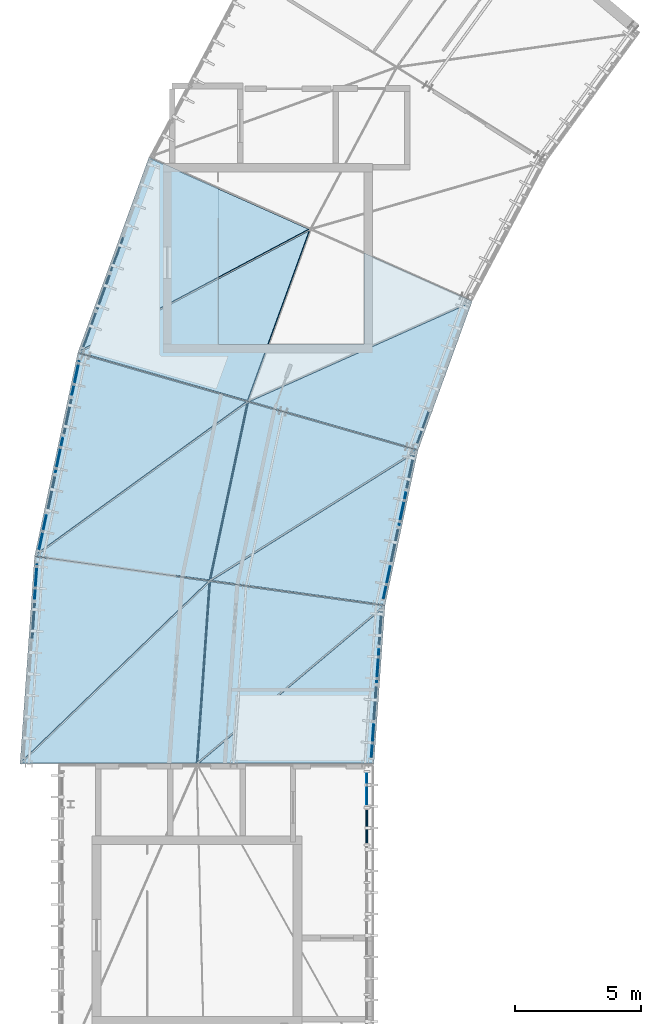
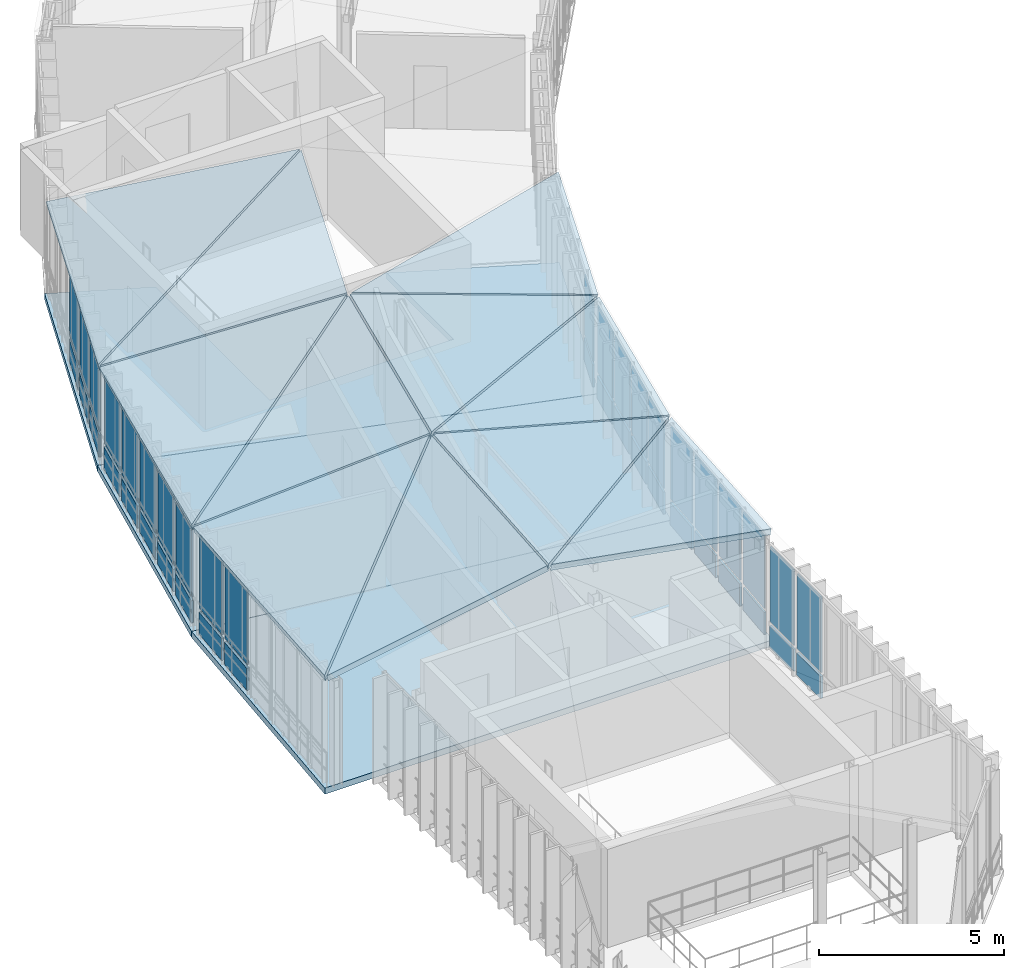
# One storey, part 7 of 18: 42 plates, 14 slabs, 7 elements without a shape of their own.
"""IFC4 building model written with IfcOpenShell, lengths in metres."""

from ifc_helpers import new_model, si_unit, direction, frame, origin, origin_2d, place, context, subcontext, project, spatial, polyline, rectangle, outline, extrude, material, layer, layer_set, type_object, element, aggregate, save


model = new_model("IFC4")

# Units and contexts
model_context = context("Model", 3, precision=1e-05, world=origin(), true_north=direction((0.0, 1.0)))
body_context = subcontext(model_context, "Body", "Model", "MODEL_VIEW")
ifc_project = project(units=[si_unit("LENGTHUNIT", "METRE"), si_unit("AREAUNIT", "SQUARE_METRE"), si_unit("VOLUMEUNIT", "CUBIC_METRE"), si_unit("PLANEANGLEUNIT", "RADIAN"), si_unit("MASSUNIT", "GRAM", prefix="KILO"), si_unit("THERMODYNAMICTEMPERATUREUNIT", "KELVIN"), si_unit("POWERUNIT", "WATT")], contexts=[model_context])

# Site, building, storey
site_placement = place(None, origin())
site = spatial("IfcSite", under=ifc_project, at=site_placement, CompositionType="ELEMENT")
building_placement = place(site_placement, origin())
building = spatial("IfcBuilding", under=site, at=building_placement, Name="Solvatero Civic Police Headquarters", CompositionType="ELEMENT")
storey_placement = place(building_placement, frame((0.0, 0.0, 29.39990234375)))
storey = spatial("IfcBuildingStorey", under=building, at=storey_placement, Name="L07", CompositionType="ELEMENT", Elevation=29.39990234375)

# Curtain wall, plates
ifc_material_1 = material(Name="Anodized Bronze Aluminium", Category="aluminium")
ifc_layer_1 = layer(ifc_material_1, 0.179931640625)
ifc_layer_set_1 = layer_set([ifc_layer_1], Name="Anodized Bronze Aluminium")
curtain_wall_type_1 = type_object("IfcCurtainWallType", Name="CW-ARC-OUT", PredefinedType="USERDEFINED", material=ifc_layer_set_1)
curtain_wall_1_placement = place(storey_placement, origin())
curtain_wall_1 = element("IfcCurtainWall", 1, at=curtain_wall_1_placement, inside=storey, type_object=curtain_wall_type_1, Name="Curtain Wall CW-R2-L07-ARC-OUT-B10", ObjectType="UNITISED", PredefinedType="USERDEFINED")
ifc_material_2 = material(Name="Triple Low-E Laminated Glass", Category="glass")
ifc_layer_2 = layer(ifc_material_2, 0.0380859375)
ifc_layer_set_2 = layer_set([ifc_layer_2], Name="Triple Low-E Laminated Glass")
plate_type_1 = type_object("IfcPlateType", Name="CWP-GLZ-38", PredefinedType="CURTAIN_PANEL", material=ifc_layer_set_2)
plate_1_placement = place(storey_placement, frame((38.828857421875, 46.153076171875, 0.91015625), z_axis=(0.0, 0.0, 1.0), x_axis=(-0.342020143326, -0.939692620786, 0.0)))
plate_1 = element("IfcPlate", 2, at=plate_1_placement, type_object=plate_type_1, Name="CW-R2-L07-ARC-OUT-B10 Vision Glazing 3", PredefinedType="CURTAIN_PANEL", context=body_context, shape_type="SweptSolid", body=[
    extrude(rectangle(XDim=1.41162109375, YDim=0.0380859375, at=origin_2d()), origin(), (0.0, 0.0, 1.0), 2.023193359375),
])
plate_2_placement = place(storey_placement, frame((37.740234375, 43.16162109375, 0.91015625), z_axis=(0.0, 0.0, 1.0), x_axis=(-0.342020143326, -0.939692620786, 0.0)))
plate_2 = element("IfcPlate", 3, at=plate_2_placement, type_object=plate_type_1, Name="CW-R2-L07-ARC-OUT-B10 Vision Glazing 5", PredefinedType="CURTAIN_PANEL", context=body_context, shape_type="SweptSolid", body=[
    extrude(rectangle(XDim=1.41162109375, YDim=0.0380859375, at=origin_2d()), origin(), (0.0, 0.0, 1.0), 2.023193359375),
])

# Curtain wall, plate
ifc_layer_3 = layer(ifc_material_1, 0.179931640625)
ifc_layer_set_3 = layer_set([ifc_layer_3], Name="Anodized Bronze Aluminium")
curtain_wall_type_2 = type_object("IfcCurtainWallType", Name="CW-ARC-IN", PredefinedType="USERDEFINED", material=ifc_layer_set_3)
curtain_wall_2_placement = place(storey_placement, origin())
curtain_wall_2 = element("IfcCurtainWall", 4, at=curtain_wall_2_placement, inside=storey, type_object=curtain_wall_type_2, Name="Curtain Wall CW-R2-L07-ARC-IN-B10", ObjectType="UNITISED", PredefinedType="USERDEFINED")
plate_3_placement = place(storey_placement, frame((50.939208984375, 39.291748046875, 0.91015625), z_axis=(0.0, 0.0, 1.0), x_axis=(-0.342003742543, -0.93969859002, 0.0)))
plate_3 = element("IfcPlate", 5, at=plate_3_placement, type_object=plate_type_1, Name="CW-R2-L07-ARC-IN-B10 Vision Glazing 4", PredefinedType="CURTAIN_PANEL", context=body_context, shape_type="SweptSolid", body=[
    extrude(rectangle(XDim=1.311767578125, YDim=0.0380859375, at=origin_2d()), origin(), (0.0, 0.0, 1.0), 1.981689453125),
])

# Curtain wall, plates
curtain_wall_3_placement = place(storey_placement, origin())
curtain_wall_3 = element("IfcCurtainWall", 6, at=curtain_wall_3_placement, inside=storey, type_object=curtain_wall_type_1, Name="Curtain Wall CW-R2-L07-ARC-OUT-B11", ObjectType="UNITISED", PredefinedType="USERDEFINED")
plate_4_placement = place(storey_placement, frame((37.197509765625, 41.272705078125, 0.91015625), z_axis=(0.0, 0.0, 1.0), x_axis=(-0.20789461889, -0.978151229328, 0.0)))
plate_4 = element("IfcPlate", 7, at=plate_4_placement, type_object=plate_type_1, Name="CW-R2-L07-ARC-OUT-B11 Vision Glazing 1", PredefinedType="CURTAIN_PANEL", context=body_context, shape_type="SweptSolid", body=[
    extrude(rectangle(XDim=1.384521484375, YDim=0.0380859375, at=origin_2d()), origin(), (0.0, 0.0, 1.0), 2.223388671875),
])
plate_5_placement = place(storey_placement, frame((36.546875, 38.212158203125, 0.91015625), z_axis=(0.0, 0.0, 1.0), x_axis=(-0.20789461889, -0.978151229328, 0.0)))
plate_5 = element("IfcPlate", 8, at=plate_5_placement, type_object=plate_type_1, Name="CW-R2-L07-ARC-OUT-B11 Vision Glazing 3", PredefinedType="CURTAIN_PANEL", context=body_context, shape_type="SweptSolid", body=[
    extrude(rectangle(XDim=1.384521484375, YDim=0.0380859375, at=origin_2d()), origin(), (0.0, 0.0, 1.0), 2.223388671875),
])
plate_6_placement = place(storey_placement, frame((35.896484375, 35.151611328125, 0.91015625), z_axis=(0.0, 0.0, 1.0), x_axis=(-0.20789461889, -0.978151229328, 0.0)))
plate_6 = element("IfcPlate", 9, at=plate_6_placement, type_object=plate_type_1, Name="CW-R2-L07-ARC-OUT-B11 Vision Glazing 5", PredefinedType="CURTAIN_PANEL", context=body_context, shape_type="SweptSolid", body=[
    extrude(rectangle(XDim=1.384521484375, YDim=0.0380859375, at=origin_2d()), origin(), (0.0, 0.0, 1.0), 2.223388671875),
])

curtain_wall_4_placement = place(storey_placement, origin())
curtain_wall_4 = element("IfcCurtainWall", 10, at=curtain_wall_4_placement, inside=storey, type_object=curtain_wall_type_2, Name="Curtain Wall CW-R2-L07-ARC-IN-B11", ObjectType="UNITISED", PredefinedType="USERDEFINED")
plate_7_placement = place(storey_placement, frame((50.128662109375, 36.087646484375, 0.91015625), z_axis=(0.0, 0.0, 1.0), x_axis=(-0.207911690818, -0.978147600734, 0.0)))
plate_7 = element("IfcPlate", 11, at=plate_7_placement, type_object=plate_type_1, Name="CW-R2-L07-ARC-IN-B11 Vision Glazing 2", PredefinedType="CURTAIN_PANEL", context=body_context, shape_type="SweptSolid", body=[
    extrude(rectangle(XDim=1.311767578125, YDim=0.0380859375, at=origin_2d()), origin(), (0.0, 0.0, 1.0), 2.181640625),
])
plate_8_placement = place(storey_placement, frame((49.50830078125, 33.16943359375, 0.91015625), z_axis=(0.0, 0.0, 1.0), x_axis=(-0.207911690818, -0.978147600734, 0.0)))
plate_8 = element("IfcPlate", 12, at=plate_8_placement, type_object=plate_type_1, Name="CW-R2-L07-ARC-IN-B11 Vision Glazing 4", PredefinedType="CURTAIN_PANEL", context=body_context, shape_type="SweptSolid", body=[
    extrude(rectangle(XDim=1.311767578125, YDim=0.0380859375, at=origin_2d()), origin(), (0.0, 0.0, 1.0), 2.181640625),
])

# Curtain wall, plate
curtain_wall_5_placement = place(storey_placement, origin())
curtain_wall_5 = element("IfcCurtainWall", 13, at=curtain_wall_5_placement, inside=storey, type_object=curtain_wall_type_1, Name="Curtain Wall CW-R2-L07-ARC-OUT-B12", ObjectType="UNITISED", PredefinedType="USERDEFINED")
plate_9_placement = place(storey_placement, frame((35.624755859375, 33.21875, 0.909912109375), z_axis=(0.0, 0.0, 1.0), x_axis=(-0.069739062956, -0.997565267588, 0.0)))
plate_9 = element("IfcPlate", 14, at=plate_9_placement, type_object=plate_type_1, Name="CW-R2-L07-ARC-OUT-B12 Vision Glazing 1", PredefinedType="CURTAIN_PANEL", context=body_context, shape_type="SweptSolid", body=[
    extrude(rectangle(XDim=1.384521484375, YDim=0.0380859375, at=origin_2d()), origin(), (0.0, 0.0, 1.0), 2.42333984375),
])

# Curtain wall, plates
curtain_wall_6_placement = place(storey_placement, origin())
curtain_wall_6 = element("IfcCurtainWall", 15, at=curtain_wall_6_placement, inside=storey, type_object=curtain_wall_type_2, Name="Curtain Wall CW-R2-L07-ARC-IN-B12", ObjectType="UNITISED", PredefinedType="USERDEFINED")
plate_10_placement = place(storey_placement, frame((49.151611328125, 29.8837890625, 0.91015625), z_axis=(0.0, 0.0, 1.0), x_axis=(-0.069773884511, -0.997562832628, 0.0)))
plate_10 = element("IfcPlate", 16, at=plate_10_placement, type_object=plate_type_1, Name="CW-R2-L07-ARC-IN-B12 Vision Glazing 2", PredefinedType="CURTAIN_PANEL", context=body_context, shape_type="SweptSolid", body=[
    extrude(rectangle(XDim=1.311767578125, YDim=0.0380859375, at=origin_2d()), origin(), (0.0, 0.0, 1.0), 2.381591796875),
])
plate_11_placement = place(storey_placement, frame((48.943603515625, 26.90771484375, 0.91015625), z_axis=(0.0, 0.0, 1.0), x_axis=(-0.069773884511, -0.997562832628, 0.0)))
plate_11 = element("IfcPlate", 17, at=plate_11_placement, type_object=plate_type_1, Name="CW-R2-L07-ARC-IN-B12 Vision Glazing 4", PredefinedType="CURTAIN_PANEL", context=body_context, shape_type="SweptSolid", body=[
    extrude(rectangle(XDim=1.311767578125, YDim=0.0380859375, at=origin_2d()), origin(), (0.0, 0.0, 1.0), 2.381591796875),
])

# Curtain wall, plate
ifc_layer_4 = layer(ifc_material_1, 0.179931640625)
ifc_layer_set_4 = layer_set([ifc_layer_4], Name="Anodized Bronze Aluminium")
curtain_wall_type_3 = type_object("IfcCurtainWallType", Name="CW-PROW-GLZ", PredefinedType="USERDEFINED", material=ifc_layer_set_4)
curtain_wall_7_placement = place(storey_placement, origin())
curtain_wall_7 = element("IfcCurtainWall", 18, at=curtain_wall_7_placement, inside=storey, type_object=curtain_wall_type_3, Name="Curtain Wall CW-R2-L07-PROW-E", ObjectType="UNITISED", PredefinedType="USERDEFINED")
plate_12_placement = place(storey_placement, frame((48.719970703125, 25.00048828125, 0.91015625), z_axis=(0.0, 0.0, 1.0), x_axis=(0.0, 1.0, 0.0)))
plate_12 = element("IfcPlate", 19, at=plate_12_placement, type_object=plate_type_1, Name="CW-R2-L07-PROW-E Vision Glazing 8", PredefinedType="CURTAIN_PANEL", context=body_context, shape_type="SweptSolid", body=[
    extrude(rectangle(XDim=1.298828125, YDim=0.0380859375, at=origin_2d()), origin(), (0.0, 0.0, 1.0), 2.489990234375),
])

# Plate
ifc_material_3 = material(Name="Acoustic Ballistic Laminated Glass", Category="glass")
ifc_layer_5 = layer(ifc_material_3, 0.0439453125)
ifc_layer_set_5 = layer_set([ifc_layer_5], Name="Acoustic Ballistic Laminated Glass")
plate_type_2 = type_object("IfcPlateType", Name="CWP-GLZ-44", PredefinedType="CURTAIN_PANEL", material=ifc_layer_set_5)
plate_13_placement = place(storey_placement, frame((38.284423828125, 44.6572265625, 0.91015625), z_axis=(0.0, 0.0, 1.0), x_axis=(-0.342020143326, -0.939692620786, 0.0)))
plate_13 = element("IfcPlate", 20, at=plate_13_placement, type_object=plate_type_2, Name="CW-R2-L07-ARC-OUT-B10 Vision Glazing 4", PredefinedType="CURTAIN_PANEL", context=body_context, shape_type="SweptSolid", body=[
    extrude(rectangle(XDim=1.41162109375, YDim=0.0439453125, at=origin_2d()), origin(), (0.0, 0.0, 1.0), 2.023193359375),
])

plate_14_placement = place(storey_placement, frame((36.872314453125, 39.742431640625, 0.91015625), z_axis=(0.0, 0.0, 1.0), x_axis=(-0.20789461889, -0.978151229328, 0.0)))
plate_14 = element("IfcPlate", 21, at=plate_14_placement, type_object=plate_type_2, Name="CW-R2-L07-ARC-OUT-B11 Vision Glazing 2", PredefinedType="CURTAIN_PANEL", context=body_context, shape_type="SweptSolid", body=[
    extrude(rectangle(XDim=1.384521484375, YDim=0.0439453125, at=origin_2d()), origin(), (0.0, 0.0, 1.0), 2.223388671875),
])

plate_15_placement = place(storey_placement, frame((36.2216796875, 36.681884765625, 0.91015625), z_axis=(0.0, 0.0, 1.0), x_axis=(-0.20789461889, -0.978151229328, 0.0)))
plate_15 = element("IfcPlate", 22, at=plate_15_placement, type_object=plate_type_2, Name="CW-R2-L07-ARC-OUT-B11 Vision Glazing 4", PredefinedType="CURTAIN_PANEL", context=body_context, shape_type="SweptSolid", body=[
    extrude(rectangle(XDim=1.384521484375, YDim=0.0439453125, at=origin_2d()), origin(), (0.0, 0.0, 1.0), 2.223388671875),
])

plate_16_placement = place(storey_placement, frame((50.438720703125, 37.546875, 0.91015625), z_axis=(0.0, 0.0, 1.0), x_axis=(-0.207911690818, -0.978147600734, 0.0)))
plate_16 = element("IfcPlate", 23, at=plate_16_placement, type_object=plate_type_2, Name="CW-R2-L07-ARC-IN-B11 Vision Glazing 1", PredefinedType="CURTAIN_PANEL", context=body_context, shape_type="SweptSolid", body=[
    extrude(rectangle(XDim=1.311767578125, YDim=0.0439453125, at=origin_2d()), origin(), (0.0, 0.0, 1.0), 2.181640625),
])

plate_17_placement = place(storey_placement, frame((49.818359375, 34.62841796875, 0.91015625), z_axis=(0.0, 0.0, 1.0), x_axis=(-0.207911690818, -0.978147600734, 0.0)))
plate_17 = element("IfcPlate", 24, at=plate_17_placement, type_object=plate_type_2, Name="CW-R2-L07-ARC-IN-B11 Vision Glazing 3", PredefinedType="CURTAIN_PANEL", context=body_context, shape_type="SweptSolid", body=[
    extrude(rectangle(XDim=1.311767578125, YDim=0.0439453125, at=origin_2d()), origin(), (0.0, 0.0, 1.0), 2.181640625),
])

plate_18_placement = place(storey_placement, frame((35.515625, 31.657958984375, 0.909912109375), z_axis=(0.0, 0.0, 1.0), x_axis=(-0.069739062956, -0.997565267588, 0.0)))
plate_18 = element("IfcPlate", 25, at=plate_18_placement, type_object=plate_type_2, Name="CW-R2-L07-ARC-OUT-B12 Vision Glazing 2", PredefinedType="CURTAIN_PANEL", context=body_context, shape_type="SweptSolid", body=[
    extrude(rectangle(XDim=1.384521484375, YDim=0.0439453125, at=origin_2d()), origin(), (0.0, 0.0, 1.0), 2.42333984375),
])

plate_19_placement = place(storey_placement, frame((49.255615234375, 31.371826171875, 0.91015625), z_axis=(0.0, 0.0, 1.0), x_axis=(-0.069773884511, -0.997562832628, 0.0)))
plate_19 = element("IfcPlate", 26, at=plate_19_placement, type_object=plate_type_2, Name="CW-R2-L07-ARC-IN-B12 Vision Glazing 1", PredefinedType="CURTAIN_PANEL", context=body_context, shape_type="SweptSolid", body=[
    extrude(rectangle(XDim=1.311767578125, YDim=0.0439453125, at=origin_2d()), origin(), (0.0, 0.0, 1.0), 2.381591796875),
])

plate_20_placement = place(storey_placement, frame((49.047607421875, 28.395751953125, 0.91015625), z_axis=(0.0, 0.0, 1.0), x_axis=(-0.069773884511, -0.997562832628, 0.0)))
plate_20 = element("IfcPlate", 27, at=plate_20_placement, type_object=plate_type_2, Name="CW-R2-L07-ARC-IN-B12 Vision Glazing 3", PredefinedType="CURTAIN_PANEL", context=body_context, shape_type="SweptSolid", body=[
    extrude(rectangle(XDim=1.311767578125, YDim=0.0439453125, at=origin_2d()), origin(), (0.0, 0.0, 1.0), 2.381591796875),
])

plate_21_placement = place(storey_placement, frame((48.719970703125, 23.52197265625, 0.91015625), z_axis=(0.0, 0.0, 1.0), x_axis=(0.0, 1.0, 0.0)))
plate_21 = element("IfcPlate", 28, at=plate_21_placement, type_object=plate_type_2, Name="CW-R2-L07-PROW-E Vision Glazing 7", PredefinedType="CURTAIN_PANEL", context=body_context, shape_type="SweptSolid", body=[
    extrude(rectangle(XDim=1.298828125, YDim=0.0439453125, at=origin_2d()), origin(), (0.0, 0.0, 1.0), 2.489990234375),
])

ifc_material_4 = material(Name="Insulated Bronze Aluminium Spandrel", Category="aluminium")
ifc_layer_6 = layer(ifc_material_4, 0.06005859375)
ifc_layer_set_6 = layer_set([ifc_layer_6], Name="Insulated Bronze Aluminium Spandrel")
plate_type_3 = type_object("IfcPlateType", Name="CWP-SPN-60", PredefinedType="CURTAIN_PANEL", material=ifc_layer_set_6)
plate_22_placement = place(storey_placement, frame((38.828857421875, 46.153076171875, 0.06005859375), z_axis=(0.0, 0.0, 1.0), x_axis=(-0.342020143326, -0.939692620786, 0.0)))
plate_22 = element("IfcPlate", 29, at=plate_22_placement, type_object=plate_type_3, Name="CW-R2-L07-ARC-OUT-B10 Spandrel Panel 3", PredefinedType="CURTAIN_PANEL", context=body_context, shape_type="SweptSolid", body=[
    extrude(rectangle(XDim=1.41162109375, YDim=0.06005859375, at=origin_2d()), origin(), (0.0, 0.0, 1.0), 0.72998046875),
])

plate_23_placement = place(storey_placement, frame((37.740234375, 43.16162109375, 0.06005859375), z_axis=(0.0, 0.0, 1.0), x_axis=(-0.342020143326, -0.939692620786, 0.0)))
plate_23 = element("IfcPlate", 30, at=plate_23_placement, type_object=plate_type_3, Name="CW-R2-L07-ARC-OUT-B10 Spandrel Panel 5", PredefinedType="CURTAIN_PANEL", context=body_context, shape_type="SweptSolid", body=[
    extrude(rectangle(XDim=1.41162109375, YDim=0.06005859375, at=origin_2d()), origin(), (0.0, 0.0, 1.0), 0.72998046875),
])

plate_24_placement = place(storey_placement, frame((50.939208984375, 39.291748046875, 0.06005859375), z_axis=(0.0, 0.0, 1.0), x_axis=(-0.342003742543, -0.93969859002, 0.0)))
plate_24 = element("IfcPlate", 31, at=plate_24_placement, type_object=plate_type_3, Name="CW-R2-L07-ARC-IN-B10 Spandrel Panel 4", PredefinedType="CURTAIN_PANEL", context=body_context, shape_type="SweptSolid", body=[
    extrude(rectangle(XDim=1.311767578125, YDim=0.06005859375, at=origin_2d()), origin(), (0.0, 0.0, 1.0), 0.72998046875),
])

aggregate(curtain_wall_2, [plate_24, plate_3])

plate_25_placement = place(storey_placement, frame((37.197509765625, 41.272705078125, 0.06005859375), z_axis=(0.0, 0.0, 1.0), x_axis=(-0.20789461889, -0.978151229328, 0.0)))
plate_25 = element("IfcPlate", 32, at=plate_25_placement, type_object=plate_type_3, Name="CW-R2-L07-ARC-OUT-B11 Spandrel Panel 1", PredefinedType="CURTAIN_PANEL", context=body_context, shape_type="SweptSolid", body=[
    extrude(rectangle(XDim=1.384521484375, YDim=0.06005859375, at=origin_2d()), origin(), (0.0, 0.0, 1.0), 0.72998046875),
])

plate_26_placement = place(storey_placement, frame((36.546875, 38.212158203125, 0.06005859375), z_axis=(0.0, 0.0, 1.0), x_axis=(-0.20789461889, -0.978151229328, 0.0)))
plate_26 = element("IfcPlate", 33, at=plate_26_placement, type_object=plate_type_3, Name="CW-R2-L07-ARC-OUT-B11 Spandrel Panel 3", PredefinedType="CURTAIN_PANEL", context=body_context, shape_type="SweptSolid", body=[
    extrude(rectangle(XDim=1.384521484375, YDim=0.06005859375, at=origin_2d()), origin(), (0.0, 0.0, 1.0), 0.72998046875),
])

plate_27_placement = place(storey_placement, frame((35.896484375, 35.151611328125, 0.06005859375), z_axis=(0.0, 0.0, 1.0), x_axis=(-0.20789461889, -0.978151229328, 0.0)))
plate_27 = element("IfcPlate", 34, at=plate_27_placement, type_object=plate_type_3, Name="CW-R2-L07-ARC-OUT-B11 Spandrel Panel 5", PredefinedType="CURTAIN_PANEL", context=body_context, shape_type="SweptSolid", body=[
    extrude(rectangle(XDim=1.384521484375, YDim=0.06005859375, at=origin_2d()), origin(), (0.0, 0.0, 1.0), 0.72998046875),
])

plate_28_placement = place(storey_placement, frame((50.128662109375, 36.087646484375, 0.06005859375), z_axis=(0.0, 0.0, 1.0), x_axis=(-0.207911690818, -0.978147600734, 0.0)))
plate_28 = element("IfcPlate", 35, at=plate_28_placement, type_object=plate_type_3, Name="CW-R2-L07-ARC-IN-B11 Spandrel Panel 2", PredefinedType="CURTAIN_PANEL", context=body_context, shape_type="SweptSolid", body=[
    extrude(rectangle(XDim=1.311767578125, YDim=0.06005859375, at=origin_2d()), origin(), (0.0, 0.0, 1.0), 0.72998046875),
])

plate_29_placement = place(storey_placement, frame((49.50830078125, 33.16943359375, 0.06005859375), z_axis=(0.0, 0.0, 1.0), x_axis=(-0.207911690818, -0.978147600734, 0.0)))
plate_29 = element("IfcPlate", 36, at=plate_29_placement, type_object=plate_type_3, Name="CW-R2-L07-ARC-IN-B11 Spandrel Panel 4", PredefinedType="CURTAIN_PANEL", context=body_context, shape_type="SweptSolid", body=[
    extrude(rectangle(XDim=1.311767578125, YDim=0.06005859375, at=origin_2d()), origin(), (0.0, 0.0, 1.0), 0.72998046875),
])

plate_30_placement = place(storey_placement, frame((35.624755859375, 33.21875, 0.06005859375), z_axis=(0.0, 0.0, 1.0), x_axis=(-0.069739062956, -0.997565267588, 0.0)))
plate_30 = element("IfcPlate", 37, at=plate_30_placement, type_object=plate_type_3, Name="CW-R2-L07-ARC-OUT-B12 Spandrel Panel 1", PredefinedType="CURTAIN_PANEL", context=body_context, shape_type="SweptSolid", body=[
    extrude(rectangle(XDim=1.384521484375, YDim=0.06005859375, at=origin_2d()), origin(), (0.0, 0.0, 1.0), 0.72998046875),
])

plate_31_placement = place(storey_placement, frame((49.151611328125, 29.8837890625, 0.06005859375), z_axis=(0.0, 0.0, 1.0), x_axis=(-0.069773884511, -0.997562832628, 0.0)))
plate_31 = element("IfcPlate", 38, at=plate_31_placement, type_object=plate_type_3, Name="CW-R2-L07-ARC-IN-B12 Spandrel Panel 2", PredefinedType="CURTAIN_PANEL", context=body_context, shape_type="SweptSolid", body=[
    extrude(rectangle(XDim=1.311767578125, YDim=0.06005859375, at=origin_2d()), origin(), (0.0, 0.0, 1.0), 0.72998046875),
])

plate_32_placement = place(storey_placement, frame((48.943603515625, 26.90771484375, 0.06005859375), z_axis=(0.0, 0.0, 1.0), x_axis=(-0.069773884511, -0.997562832628, 0.0)))
plate_32 = element("IfcPlate", 39, at=plate_32_placement, type_object=plate_type_3, Name="CW-R2-L07-ARC-IN-B12 Spandrel Panel 4", PredefinedType="CURTAIN_PANEL", context=body_context, shape_type="SweptSolid", body=[
    extrude(rectangle(XDim=1.311767578125, YDim=0.06005859375, at=origin_2d()), origin(), (0.0, 0.0, 1.0), 0.72998046875),
])

plate_33_placement = place(storey_placement, frame((48.719970703125, 25.00048828125, 0.06005859375), z_axis=(0.0, 0.0, 1.0), x_axis=(0.0, 1.0, 0.0)))
plate_33 = element("IfcPlate", 40, at=plate_33_placement, type_object=plate_type_3, Name="CW-R2-L07-PROW-E Spandrel Panel 8", PredefinedType="CURTAIN_PANEL", context=body_context, shape_type="SweptSolid", body=[
    extrude(rectangle(XDim=1.298828125, YDim=0.06005859375, at=origin_2d()), origin(), (0.0, 0.0, 1.0), 0.72998046875),
])

ifc_material_5 = material(Name="Limestone Veneer Spandrel Panel", Category="masonry")
ifc_layer_7 = layer(ifc_material_5, 0.074951171875)
ifc_layer_set_7 = layer_set([ifc_layer_7], Name="Limestone Veneer Spandrel Panel")
plate_type_4 = type_object("IfcPlateType", Name="CWP-SPN-75", PredefinedType="CURTAIN_PANEL", material=ifc_layer_set_7)
plate_34_placement = place(storey_placement, frame((38.284423828125, 44.6572265625, 0.06005859375), z_axis=(0.0, 0.0, 1.0), x_axis=(-0.342020143326, -0.939692620786, 0.0)))
plate_34 = element("IfcPlate", 41, at=plate_34_placement, type_object=plate_type_4, Name="CW-R2-L07-ARC-OUT-B10 Spandrel Panel 4", PredefinedType="CURTAIN_PANEL", context=body_context, shape_type="SweptSolid", body=[
    extrude(rectangle(XDim=1.41162109375, YDim=0.074951171875, at=origin_2d()), origin(), (0.0, 0.0, 1.0), 0.72998046875),
])

aggregate(curtain_wall_1, [plate_22, plate_1, plate_34, plate_13, plate_23, plate_2])

plate_35_placement = place(storey_placement, frame((36.872314453125, 39.742431640625, 0.06005859375), z_axis=(0.0, 0.0, 1.0), x_axis=(-0.20789461889, -0.978151229328, 0.0)))
plate_35 = element("IfcPlate", 42, at=plate_35_placement, type_object=plate_type_4, Name="CW-R2-L07-ARC-OUT-B11 Spandrel Panel 2", PredefinedType="CURTAIN_PANEL", context=body_context, shape_type="SweptSolid", body=[
    extrude(rectangle(XDim=1.384521484375, YDim=0.074951171875, at=origin_2d()), origin(), (0.0, 0.0, 1.0), 0.72998046875),
])

plate_36_placement = place(storey_placement, frame((36.2216796875, 36.681884765625, 0.06005859375), z_axis=(0.0, 0.0, 1.0), x_axis=(-0.20789461889, -0.978151229328, 0.0)))
plate_36 = element("IfcPlate", 43, at=plate_36_placement, type_object=plate_type_4, Name="CW-R2-L07-ARC-OUT-B11 Spandrel Panel 4", PredefinedType="CURTAIN_PANEL", context=body_context, shape_type="SweptSolid", body=[
    extrude(rectangle(XDim=1.384521484375, YDim=0.074951171875, at=origin_2d()), origin(), (0.0, 0.0, 1.0), 0.72998046875),
])

aggregate(curtain_wall_3, [plate_25, plate_4, plate_35, plate_14, plate_26, plate_5, plate_36, plate_15, plate_27, plate_6])

plate_37_placement = place(storey_placement, frame((50.438720703125, 37.546875, 0.06005859375), z_axis=(0.0, 0.0, 1.0), x_axis=(-0.207911690818, -0.978147600734, 0.0)))
plate_37 = element("IfcPlate", 44, at=plate_37_placement, type_object=plate_type_4, Name="CW-R2-L07-ARC-IN-B11 Spandrel Panel 1", PredefinedType="CURTAIN_PANEL", context=body_context, shape_type="SweptSolid", body=[
    extrude(rectangle(XDim=1.311767578125, YDim=0.074951171875, at=origin_2d()), origin(), (0.0, 0.0, 1.0), 0.72998046875),
])

plate_38_placement = place(storey_placement, frame((49.818359375, 34.62841796875, 0.06005859375), z_axis=(0.0, 0.0, 1.0), x_axis=(-0.207911690818, -0.978147600734, 0.0)))
plate_38 = element("IfcPlate", 45, at=plate_38_placement, type_object=plate_type_4, Name="CW-R2-L07-ARC-IN-B11 Spandrel Panel 3", PredefinedType="CURTAIN_PANEL", context=body_context, shape_type="SweptSolid", body=[
    extrude(rectangle(XDim=1.311767578125, YDim=0.074951171875, at=origin_2d()), origin(), (0.0, 0.0, 1.0), 0.72998046875),
])

aggregate(curtain_wall_4, [plate_37, plate_16, plate_28, plate_7, plate_38, plate_17, plate_29, plate_8])

plate_39_placement = place(storey_placement, frame((35.515625, 31.657958984375, 0.06005859375), z_axis=(0.0, 0.0, 1.0), x_axis=(-0.069739062956, -0.997565267588, 0.0)))
plate_39 = element("IfcPlate", 46, at=plate_39_placement, type_object=plate_type_4, Name="CW-R2-L07-ARC-OUT-B12 Spandrel Panel 2", PredefinedType="CURTAIN_PANEL", context=body_context, shape_type="SweptSolid", body=[
    extrude(rectangle(XDim=1.384521484375, YDim=0.074951171875, at=origin_2d()), origin(), (0.0, 0.0, 1.0), 0.72998046875),
])

aggregate(curtain_wall_5, [plate_30, plate_9, plate_39, plate_18])

plate_40_placement = place(storey_placement, frame((49.255615234375, 31.371826171875, 0.06005859375), z_axis=(0.0, 0.0, 1.0), x_axis=(-0.069773884511, -0.997562832628, 0.0)))
plate_40 = element("IfcPlate", 47, at=plate_40_placement, type_object=plate_type_4, Name="CW-R2-L07-ARC-IN-B12 Spandrel Panel 1", PredefinedType="CURTAIN_PANEL", context=body_context, shape_type="SweptSolid", body=[
    extrude(rectangle(XDim=1.311767578125, YDim=0.074951171875, at=origin_2d()), origin(), (0.0, 0.0, 1.0), 0.72998046875),
])

plate_41_placement = place(storey_placement, frame((49.047607421875, 28.395751953125, 0.06005859375), z_axis=(0.0, 0.0, 1.0), x_axis=(-0.069773884511, -0.997562832628, 0.0)))
plate_41 = element("IfcPlate", 48, at=plate_41_placement, type_object=plate_type_4, Name="CW-R2-L07-ARC-IN-B12 Spandrel Panel 3", PredefinedType="CURTAIN_PANEL", context=body_context, shape_type="SweptSolid", body=[
    extrude(rectangle(XDim=1.311767578125, YDim=0.074951171875, at=origin_2d()), origin(), (0.0, 0.0, 1.0), 0.72998046875),
])

aggregate(curtain_wall_6, [plate_40, plate_19, plate_31, plate_10, plate_41, plate_20, plate_32, plate_11])

plate_42_placement = place(storey_placement, frame((48.719970703125, 23.52197265625, 0.06005859375), z_axis=(0.0, 0.0, 1.0), x_axis=(0.0, 1.0, 0.0)))
plate_42 = element("IfcPlate", 49, at=plate_42_placement, type_object=plate_type_4, Name="CW-R2-L07-PROW-E Spandrel Panel 7", PredefinedType="CURTAIN_PANEL", context=body_context, shape_type="SweptSolid", body=[
    extrude(rectangle(XDim=1.298828125, YDim=0.074951171875, at=origin_2d()), origin(), (0.0, 0.0, 1.0), 0.72998046875),
])

aggregate(curtain_wall_7, [plate_42, plate_21, plate_33, plate_12])

# Slabs
ifc_material_6 = material(Name="Concrete C35/45", Category="concrete")
ifc_layer_8 = layer(ifc_material_6, 0.199951171875)
ifc_layer_set_8 = layer_set([ifc_layer_8], Name="Concrete C35/45")
slab_type_1 = type_object("IfcSlabType", Name="SLB-COMP-200", PredefinedType="FLOOR", material=ifc_layer_set_8)
slab_1_placement = place(storey_placement, frame((0.0, 0.0, -0.199951171875)))
element("IfcSlab", 50, at=slab_1_placement, inside=storey, type_object=slab_type_1, Name="L07 Operations Arc Floor Slab Bay 10", PredefinedType="FLOOR", context=body_context, shape_type="SweptSolid", body=[
    extrude(outline(polyline([(37.28564453125, 42.2626953125), (40.10009765625, 49.99560546875), (42.860107421875, 48.766845703125), (42.860107421875, 42.60009765625), (48.60009765625, 42.60009765625), (48.60009765625, 46.211181640625), (52.889892578125, 44.30126953125), (50.7431640625, 38.40380859375), (37.28564453125, 42.2626953125)])), origin(), (0.0, 0.0, 1.0), 0.199951171875),
])
slab_2_placement = place(storey_placement, frame((0.0, 0.0, -0.199951171875)))
element("IfcSlab", 51, at=slab_2_placement, inside=storey, type_object=slab_type_1, Name="L07 Operations Arc Floor Slab Bay 11", PredefinedType="FLOOR", context=body_context, shape_type="SweptSolid", body=[
    extrude(outline(polyline([(37.28515625, 42.260498046875), (50.742919921875, 38.401611328125), (49.43798828125, 32.2626953125), (35.57421875, 34.211181640625), (37.28515625, 42.260498046875)])), origin(), (0.0, 0.0, 1.0), 0.199951171875),
])
slab_3_placement = place(storey_placement, frame((0.0, 0.0, -0.199951171875)))
element("IfcSlab", 52, at=slab_3_placement, inside=storey, type_object=slab_type_1, Name="L07 Operations Arc Floor Slab Bay 12", PredefinedType="FLOOR", context=body_context, shape_type="SweptSolid", body=[
    extrude(outline(polyline([(35.57421875, 34.209228515625), (49.437744140625, 32.2607421875), (49.0, 26.001953125), (36.498046875, 26.001953125), (36.498046875, 26.0), (35.0, 26.0), (35.57421875, 34.209228515625)])), origin(), (0.0, 0.0, 1.0), 0.199951171875),
])
ifc_layer_9 = layer(ifc_material_6, 0.18994140625)
ifc_layer_set_9 = layer_set([ifc_layer_9], Name="Concrete C35/45")
slab_type_2 = type_object("IfcSlabType", Name="SLB-RF-ARC-190", PredefinedType="ROOF", material=ifc_layer_set_9)
slab_4_placement = place(storey_placement, frame((52.830078125, 44.23779296875, 3.058837890625), z_axis=(0.174206689077, -0.030053851311, 0.984250372366), x_axis=(-0.341878216155, -0.939204984787, 0.031832088684)))
element("IfcSlab", 53, at=slab_4_placement, inside=storey, type_object=slab_type_2, Name="Operations Arc Rising Roof Slab B10 IN2", PredefinedType="ROOF", context=body_context, shape_type="SweptSolid", body=[
    extrude(outline(polyline([(0.0, 0.0), (6.166389659403521, 9.71445146547012e-17), (6.684987456883793, -6.961521170721774), (0.0, 0.0)])), origin(), (0.0, 0.0, -1.0), 0.18994140625),
])
slab_5_placement = place(storey_placement, frame((46.416259765625, 47.1474609375, 4.287841796875), z_axis=(-0.155843545774, 0.082158412029, 0.984359072988), x_axis=(-0.878867669843, -0.466421492159, -0.100212826305)))
element("IfcSlab", 54, at=slab_5_placement, inside=storey, type_object=slab_type_2, Name="Operations Arc Rising Roof Slab B10 OUT1", PredefinedType="ROOF", context=body_context, shape_type="SweptSolid", body=[
    extrude(outline(polyline([(0.0, 0.0), (10.317397333253172, 3.0531133177191805e-16), (4.349225384727877, -5.4857924191824345), (0.0, 0.0)])), origin(), (0.0, 0.0, -1.0), 0.18994140625),
])
slab_6_placement = place(storey_placement, frame((46.4326171875, 47.07763671875, 4.29638671875), z_axis=(-0.157954776417, 0.086337395048, 0.983664649575), x_axis=(-0.34189910546, -0.939332890621, 0.027544913921)))
element("IfcSlab", 55, at=slab_6_placement, inside=storey, type_object=slab_type_2, Name="Operations Arc Rising Roof Slab B10 OUT2", PredefinedType="ROOF", context=body_context, shape_type="SweptSolid", body=[
    extrude(outline(polyline([(0.0, 0.0), (7.1350087965808795, -4.85722573273506e-17), (7.5810166212034025, -6.976443125026974), (0.0, 0.0)])), origin(), (0.0, 0.0, -1.0), 0.18994140625),
])
slab_7_placement = place(storey_placement, frame((50.658447265625, 38.3916015625, 3.265380859375), z_axis=(0.179738012557, -0.010467999089, 0.983658816784), x_axis=(-0.837869994227, -0.525562437616, 0.147505921718)))
element("IfcSlab", 56, at=slab_7_placement, inside=storey, type_object=slab_type_2, Name="Operations Arc Rising Roof Slab B11 IN1", PredefinedType="ROOF", context=body_context, shape_type="SweptSolid", body=[
    extrude(outline(polyline([(0.0, 0.0), (9.66923574757531, -8.881784197001252e-16), (4.7291559564668235, -5.152486302771297), (0.0, 0.0)])), origin(), (0.0, 0.0, -1.0), 0.18994140625),
])
slab_8_placement = place(storey_placement, frame((50.6923828125, 38.330810546875, 3.2587890625), z_axis=(0.176729937033, -0.005520504755, 0.984243899338), x_axis=(-0.207811194282, -0.977650910953, 0.03183086306)))
element("IfcSlab", 57, at=slab_8_placement, inside=storey, type_object=slab_type_2, Name="Operations Arc Rising Roof Slab B11 IN2", PredefinedType="ROOF", context=body_context, shape_type="SweptSolid", body=[
    extrude(outline(polyline([(0.0, 0.0), (6.166627091740444, -2.7755575615628914e-17), (6.684958234271993, -6.961502030045448), (0.0, 0.0)])), origin(), (0.0, 0.0, -1.0), 0.18994140625),
])
slab_9_placement = place(storey_placement, frame((43.936279296875, 40.319091796875, 4.48779296875), z_axis=(-0.165751092246, 0.059696504495, 0.984359133025), x_axis=(-0.805414019316, -0.584183097158, -0.100191648777)))
element("IfcSlab", 58, at=slab_9_placement, inside=storey, type_object=slab_type_2, Name="Operations Arc Rising Roof Slab B11 OUT1", PredefinedType="ROOF", context=body_context, shape_type="SweptSolid", body=[
    extrude(outline(polyline([(0.0, 0.0), (10.31714138718011, 4.440892098500626e-16), (4.349230184727238, -5.485885753862499), (0.0, 0.0)])), origin(), (0.0, 0.0, -1.0), 0.18994140625),
])
slab_10_placement = place(storey_placement, frame((43.9619140625, 40.25244140625, 4.496337890625), z_axis=(-0.168461429852, 0.063548357704, 0.983657640079), x_axis=(-0.207806288522, -0.977781112221, 0.027579757706)))
element("IfcSlab", 59, at=slab_10_placement, inside=storey, type_object=slab_type_2, Name="Operations Arc Rising Roof Slab B11 OUT2", PredefinedType="ROOF", context=body_context, shape_type="SweptSolid", body=[
    extrude(outline(polyline([(0.0, 0.0), (7.13484671792291, -3.469446951953614e-17), (7.580655539766006, -6.976563818795672), (0.0, 0.0)])), origin(), (0.0, 0.0, -1.0), 0.18994140625),
])
slab_11_placement = place(storey_placement, frame((49.355712890625, 32.239013671875, 3.465576171875), z_axis=(0.179411263091, 0.014645854482, 0.983665134902), x_axis=(-0.756580510329, -0.637052656637, 0.147478283358)))
element("IfcSlab", 60, at=slab_11_placement, inside=storey, type_object=slab_type_2, Name="Operations Arc Rising Roof Slab B12 IN1", PredefinedType="ROOF", context=body_context, shape_type="SweptSolid", body=[
    extrude(outline(polyline([(0.0, 0.0), (9.669392388844557, -1.2490009027033011e-15), (4.729098830777107, -5.1525030874467515), (0.0, 0.0)])), origin(), (0.0, 0.0, -1.0), 0.18994140625),
])
slab_12_placement = place(storey_placement, frame((49.397705078125, 32.18359375, 3.458740234375), z_axis=(0.17573773144, 0.019178994925, 0.984250179529), x_axis=(-0.069677437283, -0.997060373843, 0.031869509666)))
element("IfcSlab", 61, at=slab_12_placement, inside=storey, type_object=slab_type_2, Name="Operations Arc Rising Roof Slab B12 IN2", PredefinedType="ROOF", context=body_context, shape_type="SweptSolid", body=[
    extrude(outline(polyline([(0.0, 0.0), (6.166809755890461, 6.245004513516506e-17), (6.684760521918597, -6.961758870168363), (0.0, 0.0)])), origin(), (0.0, 0.0, -1.0), 0.18994140625),
])
slab_13_placement = place(storey_placement, frame((42.4306640625, 33.21240234375, 4.687744140625), z_axis=(-0.172446214958, 0.036047076934, 0.984359137303), x_axis=(-0.716269066265, -0.690594219495, -0.100191061038)))
element("IfcSlab", 62, at=slab_13_placement, inside=storey, type_object=slab_type_2, Name="Operations Arc Rising Roof Slab B12 OUT1", PredefinedType="ROOF", context=body_context, shape_type="SweptSolid", body=[
    extrude(outline(polyline([(0.0, 0.0), (10.31720190941236, -7.494005416219807e-16), (4.349363897191859, -5.485796660726856), (0.0, 0.0)])), origin(), (0.0, 0.0, -1.0), 0.18994140625),
])
slab_14_placement = place(storey_placement, frame((42.465576171875, 33.14990234375, 4.6962890625), z_axis=(-0.175668013435, 0.039489381786, 0.983657124095), x_axis=(-0.069734126011, -0.997184315185, 0.027578854546)))
element("IfcSlab", 63, at=slab_14_placement, inside=storey, type_object=slab_type_2, Name="Operations Arc Rising Roof Slab B12 OUT2", PredefinedType="ROOF", context=body_context, shape_type="SweptSolid", body=[
    extrude(outline(polyline([(0.0, 0.0), (7.135080371830398, 6.245004513516506e-17), (7.581084666317986, -6.976474513788673), (0.0, 0.0)])), origin(), (0.0, 0.0, -1.0), 0.18994140625),
])

save(model, "model.ifc")
